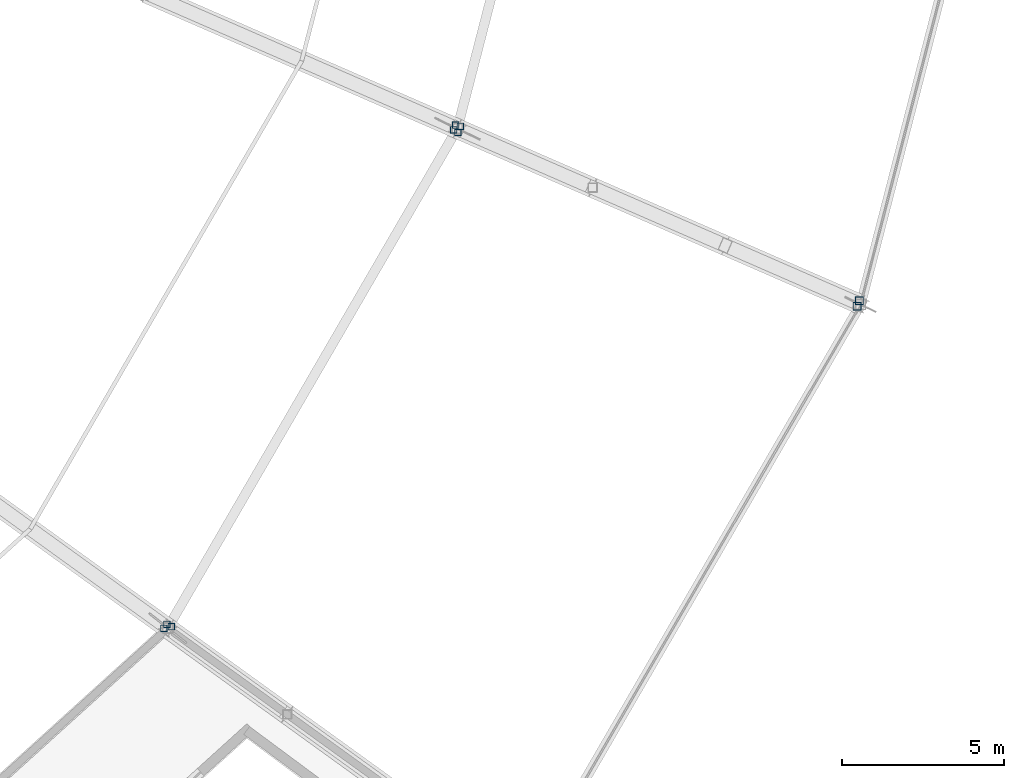
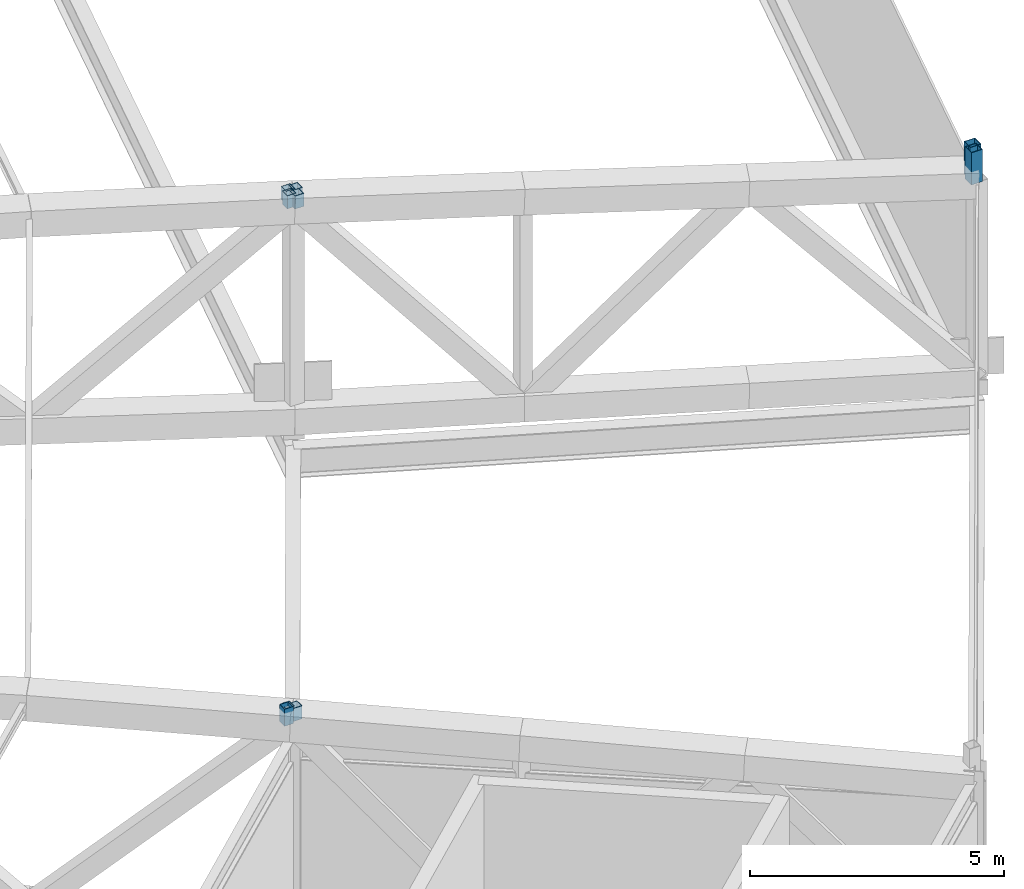
# One storey, part 116 of 162: 9 members.
"""IFC4 building model written with IfcOpenShell, lengths in metres."""

from ifc_helpers import new_model, si_unit, direction, frame, origin, origin_2d, place, context, subcontext, project, spatial, hollow_rectangle, extrude, material, material_profile, profile_set, type_object, element, save


model = new_model("IFC4")

# Units and contexts
model_context = context("Model", 3, precision=1e-05, world=origin(), true_north=direction((0.0, 1.0)))
body_context = subcontext(model_context, "Body", "Model", "MODEL_VIEW")
ifc_project = project(units=[si_unit("LENGTHUNIT", "METRE"), si_unit("AREAUNIT", "SQUARE_METRE"), si_unit("VOLUMEUNIT", "CUBIC_METRE"), si_unit("PLANEANGLEUNIT", "RADIAN"), si_unit("MASSUNIT", "GRAM", prefix="KILO")], contexts=[model_context])

# Site, building, storey
site_placement = place(None, origin())
site = spatial("IfcSite", under=ifc_project, at=site_placement, CompositionType="ELEMENT")
building_placement = place(site_placement, origin())
building = spatial("IfcBuilding", under=site, at=building_placement, Name="Kazemori Nagisa Stadium", CompositionType="ELEMENT")
storey_placement = place(building_placement, frame((0.0, 0.0, 36.719970703125)))
storey = spatial("IfcBuildingStorey", under=building, at=storey_placement, Name="RF", CompositionType="ELEMENT", Elevation=36.719970703125)

# Members
ifc_material = material(Name="Steel STKR490", Category="steel")
ifc_material_profile_1 = material_profile(ifc_material, hollow_rectangle(XDim=0.25, YDim=0.25, WallThickness=0.011962890625, at=origin_2d()), Name="SHS-250x250x12")
ifc_profile_set_1 = profile_set([ifc_material_profile_1], Name="Steel STKR490")
member_type_1 = type_object("IfcMemberType", Name="Member_ST-SHS250", PredefinedType="STUD", material=ifc_profile_set_1)
for number, where, z_axis, x_axis, name in (
    (1, (211.778076171875, 63.196044921875, 5.10009765625), (0.0, 0.0, 1.0), (1.0, 0.0, 0.0), "Canopy bearing stool B26-outer-2"),
    (2, (211.846923828125, 63.3642578125, 5.10009765625), (0.0, 0.0, 1.0), (1.0, 0.0, 0.0), "Canopy bearing stool B27-outer-1"),
):
    element("IfcMember", number, at=place(storey_placement, frame(where, z_axis=z_axis, x_axis=x_axis)), inside=storey, type_object=member_type_1, Name=name, PredefinedType="STUD", context=body_context, shape_type="SweptSolid", body=[
        extrude(hollow_rectangle(XDim=0.25, YDim=0.25, WallThickness=0.011962890625, at=origin_2d()), origin(), (0.0, 0.0, 1.0), 0.77490234375),
    ])
ifc_material_profile_2 = material_profile(ifc_material, hollow_rectangle(XDim=0.199951171875, YDim=0.199951171875, WallThickness=0.009033203125, at=origin_2d()), Name="SHS-200x200x9")
ifc_profile_set_2 = profile_set([ifc_material_profile_2], Name="Steel STKR490")
member_type_2 = type_object("IfcMemberType", Name="Member_TS-SHS200", PredefinedType="STRUT", material=ifc_profile_set_2)
member_placement = place(storey_placement, frame((190.386474609375, 53.256103515625, 5.56005859375), z_axis=(0.0, 0.0, 1.0), x_axis=(1.0, 0.0, 0.0)))
element("IfcMember", 3, at=member_placement, inside=storey, type_object=member_type_2, Name="Canopy bearing stool B25-mid-2", PredefinedType="STRUT", context=body_context, shape_type="SweptSolid", body=[
    extrude(hollow_rectangle(XDim=0.199951171875, YDim=0.199951171875, WallThickness=0.009033203125, at=origin_2d()), origin(), (0.0, 0.0, 1.0), 0.407958984375),
])
for number, where, z_axis, x_axis, name in (
    (4, (199.4560546875, 68.556396484375, 5.56005859375), (0.0, 0.0, 1.0), (1.0, 0.0, 0.0), "Canopy bearing stool B26-outer-3"),
    (5, (190.616455078125, 53.3125, 5.56005859375), (0.0, 0.0, 1.0), (1.0, 0.0, 0.0), "Canopy bearing stool B26-outer-4"),
    (6, (190.482421875, 53.383544921875, 5.56005859375), (0.0, 0.0, 1.0), (1.0, 0.0, 0.0), "Canopy bearing stool B26-mid-1"),
    (7, (199.327392578125, 68.63671875, 5.56005859375), (0.0, 0.0, 1.0), (1.0, 0.0, 0.0), "Canopy bearing stool B26-mid-2"),
    (8, (199.53759765625, 68.74658203125, 5.56005859375), (0.0, 0.0, 1.0), (1.0, 0.0, 0.0), "Canopy bearing stool B27-outer-4"),
    (9, (199.387939453125, 68.782958984375, 5.56005859375), (0.0, 0.0, 1.0), (1.0, 0.0, 0.0), "Canopy bearing stool B27-mid-1"),
):
    element("IfcMember", number, at=place(storey_placement, frame(where, z_axis=z_axis, x_axis=x_axis)), inside=storey, type_object=member_type_2, Name=name, PredefinedType="STRUT", context=body_context, shape_type="SweptSolid", body=[
        extrude(hollow_rectangle(XDim=0.199951171875, YDim=0.199951171875, WallThickness=0.009033203125, at=origin_2d()), origin(), (0.0, 0.0, 1.0), 0.31494140625),
    ])

save(model, "model.ifc")
